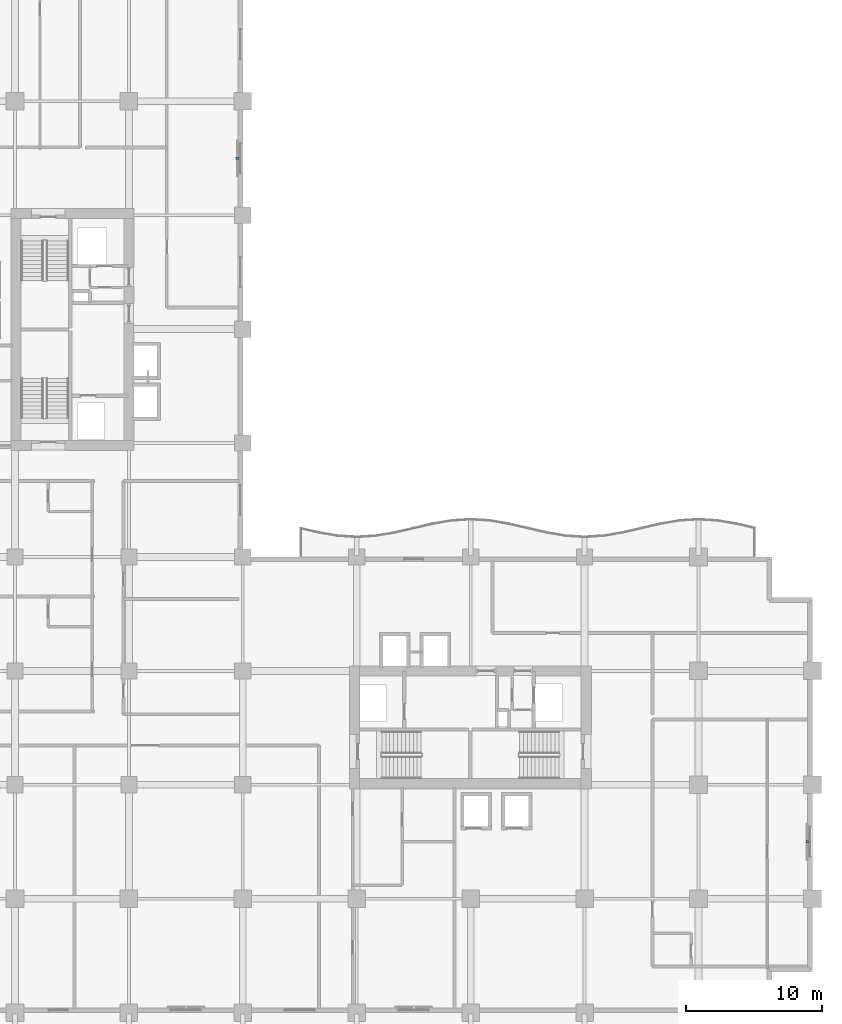
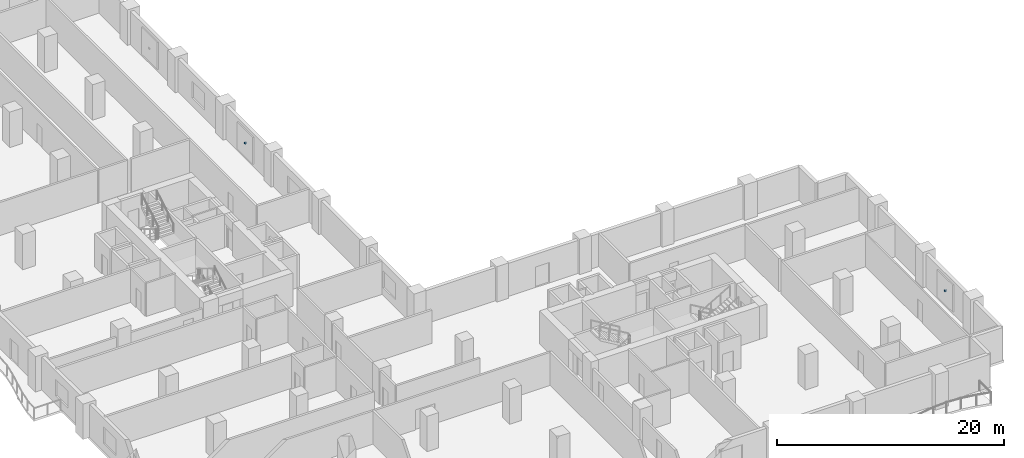
# One storey, part 17 of 22: 2 discrete accessories.
"""IFC4 building model written with IfcOpenShell, lengths in metres."""

from ifc_helpers import new_model, si_unit, direction, frame, origin, origin_2d, place, context, subcontext, project, spatial, rectangle, extrude, material, type_object, element, save


model = new_model("IFC4")

# Units and contexts
model_context = context("Model", 3, precision=1e-05, world=origin(), true_north=direction((0.0, 1.0)))
body_context = subcontext(model_context, "Body", "Model", "MODEL_VIEW")
ifc_project = project(units=[si_unit("LENGTHUNIT", "METRE"), si_unit("AREAUNIT", "SQUARE_METRE"), si_unit("VOLUMEUNIT", "CUBIC_METRE"), si_unit("PLANEANGLEUNIT", "RADIAN"), si_unit("MASSUNIT", "GRAM", prefix="KILO")], contexts=[model_context])

# Site, building, storey
site_placement = place(None, origin())
site = spatial("IfcSite", under=ifc_project, at=site_placement, CompositionType="ELEMENT")
building_placement = place(site_placement, origin())
building = spatial("IfcBuilding", under=site, at=building_placement, Name="Koriwani Terraces Tower", CompositionType="ELEMENT")
storey_placement = place(building_placement, frame((0.0, 0.0, 141.800048828125)))
storey = spatial("IfcBuildingStorey", under=building, at=storey_placement, Name="L34", CompositionType="ELEMENT", Elevation=141.800048828125)

# Discrete accessories
ifc_material = material(Name="Steel ASTM A572 Grade 50", Category="steel")
discrete_accessory_type = type_object("IfcDiscreteAccessoryType", Name="BAGUETTE_STANDOFF_BRACKET", PredefinedType="BRACKET", material=ifc_material)
for number, where, z_axis, x_axis, name in (
    (1, (33.2099609375, 63.0, 1.68505859375), (0.0, 0.0, 1.0), (0.0, -1.0, 0.0), "L34 Terracotta Baguette Bracket (NW_IN-11)"),
    (2, (75.2099609375, 12.60009765625, 1.68505859375), (0.0, 0.0, 1.0), (0.0, -1.0, 0.0), "L34 Terracotta Baguette Bracket (E_TIP-3)"),
):
    element("IfcDiscreteAccessory", number, at=place(storey_placement, frame(where, z_axis=z_axis, x_axis=x_axis)), inside=storey, type_object=discrete_accessory_type, Name=name, PredefinedType="BRACKET", context=body_context, shape_type="SweptSolid", body=[
        extrude(rectangle(XDim=0.159912109375, YDim=0.199951171875, at=origin_2d()), origin(), (0.0, 0.0, 1.0), 0.179931640625),
    ])

save(model, "model.ifc")
